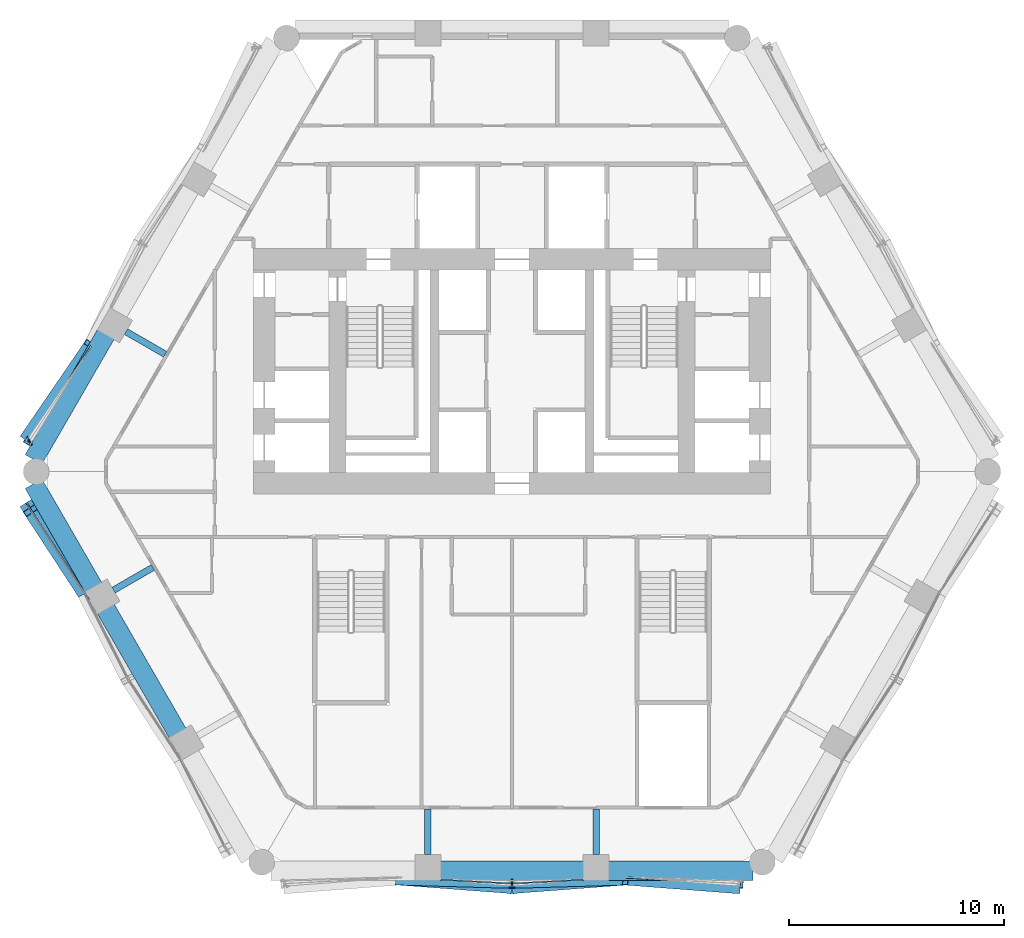
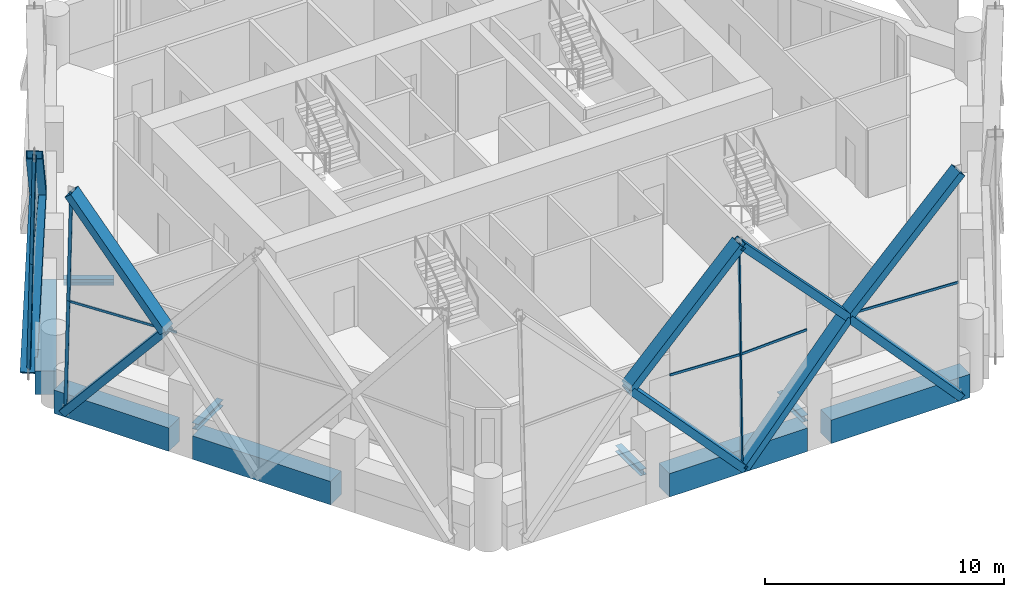
# One storey, part 4 of 21: 21 members, 9 beams, 6 elements without a shape of their own.
"""IFC4 building model written with IfcOpenShell, lengths in metres."""

from ifc_helpers import new_model, si_unit, direction, frame, origin, origin_2d, place, context, subcontext, project, spatial, rectangle, hollow_rectangle, i_section, extrude, material, material_profile, profile_set, type_object, element, aggregate, save


model = new_model("IFC4")

# Units and contexts
model_context = context("Model", 3, precision=1e-05, world=origin(), true_north=direction((0.0, 1.0)))
body_context = subcontext(model_context, "Body", "Model", "MODEL_VIEW")
ifc_project = project(units=[si_unit("LENGTHUNIT", "METRE"), si_unit("AREAUNIT", "SQUARE_METRE"), si_unit("VOLUMEUNIT", "CUBIC_METRE"), si_unit("PLANEANGLEUNIT", "RADIAN"), si_unit("MASSUNIT", "GRAM", prefix="KILO")], contexts=[model_context])

# Site, building, storey
site_placement = place(None, origin())
site = spatial("IfcSite", under=ifc_project, at=site_placement, CompositionType="ELEMENT")
building_placement = place(site_placement, origin())
building = spatial("IfcBuilding", under=site, at=building_placement, Name="Ostrander Bayou Hotel Tower", CompositionType="ELEMENT")
storey_placement = place(building_placement, frame((0.0, 0.0, 116.0)))
storey = spatial("IfcBuildingStorey", under=building, at=storey_placement, Name="L28", CompositionType="ELEMENT", Elevation=116.0)

# Curtain wall, members
ifc_material_1 = material(Name="Aluminium and clear glass", Category="aluminium")
curtain_wall_type = type_object("IfcCurtainWallType", Name="CW-LAT lattice glazing", PredefinedType="NOTDEFINED", material=ifc_material_1)
curtain_wall_1_placement = place(storey_placement, origin())
curtain_wall_1 = element("IfcCurtainWall", 1, at=curtain_wall_1_placement, inside=storey, type_object=curtain_wall_type, Name="CW-LAT L28 NW 1", PredefinedType="NOTDEFINED")
ifc_material_2 = material(Name="Aluminium", Category="aluminium")
ifc_material_profile_1 = material_profile(ifc_material_2, hollow_rectangle(XDim=0.06005859375, YDim=0.159912109375, WallThickness=0.00390625, at=origin_2d()))
ifc_profile_set_1 = profile_set([ifc_material_profile_1], Name="Aluminium")
member_type_1 = type_object("IfcMemberType", Name="CW-LA mullion 60 x 160 mm", PredefinedType="MULLION", material=ifc_profile_set_1)
member_1_placement = place(storey_placement, frame((-22.47216796875, 0.885986328125, -0.60009765625), z_axis=(0.012582810856, -0.021824668484, 0.999682627996), x_axis=(0.866328918095, 0.499473928922, 0.0)))
member_1 = element("IfcMember", 2, at=member_1_placement, type_object=member_type_1, Name="CW-LAT mullion 8", PredefinedType="MULLION", context=body_context, shape_type="SweptSolid", body=[
    extrude(hollow_rectangle(XDim=0.06005859375, YDim=0.159912109375, WallThickness=0.00390625, at=origin_2d()), origin(), (0.0, 0.0, 1.0), 5.626708984375),
])
member_2_placement = place(storey_placement, frame((-22.4013671875, 0.76318359375, 5.02490234375), z_axis=(0.012582810856, -0.021824668484, 0.999682627996), x_axis=(0.866328918095, 0.499473928922, 0.0)))
member_2 = element("IfcMember", 3, at=member_2_placement, type_object=member_type_1, Name="CW-LAT mullion 9", PredefinedType="MULLION", context=body_context, shape_type="SweptSolid", body=[
    extrude(hollow_rectangle(XDim=0.06005859375, YDim=0.159912109375, WallThickness=0.00390625, at=origin_2d()), origin(), (0.0, 0.0, 1.0), 5.626708984375),
])
aggregate(curtain_wall_1, [member_1, member_2])

curtain_wall_2_placement = place(storey_placement, origin())
curtain_wall_2 = element("IfcCurtainWall", 4, at=curtain_wall_2_placement, inside=storey, type_object=curtain_wall_type, Name="CW-LAT L28 SW 1", PredefinedType="NOTDEFINED")
member_3_placement = place(storey_placement, frame((-22.47216796875, -2.217041015625, -0.60009765625), z_axis=(0.012582810856, -0.021824668484, 0.999682627996), x_axis=(0.866328918095, 0.499473928922, 0.0)))
member_3 = element("IfcMember", 5, at=member_3_placement, type_object=member_type_1, Name="CW-LAT mullion 1", PredefinedType="MULLION", context=body_context, shape_type="SweptSolid", body=[
    extrude(hollow_rectangle(XDim=0.06005859375, YDim=0.159912109375, WallThickness=0.00390625, at=origin_2d()), origin(), (0.0, 0.0, 1.0), 5.626708984375),
])
member_4_placement = place(storey_placement, frame((-22.4013671875, -2.33984375, 5.02490234375), z_axis=(0.012582822759, -0.021781300087, 0.999683573706), x_axis=(0.865898279276, 0.500220121494, 0.0)))
member_4 = element("IfcMember", 6, at=member_4_placement, type_object=member_type_1, Name="CW-LAT mullion 2", PredefinedType="MULLION", context=body_context, shape_type="SweptSolid", body=[
    extrude(hollow_rectangle(XDim=0.06005859375, YDim=0.159912109375, WallThickness=0.00390625, at=origin_2d()), origin(), (0.0, 0.0, 1.0), 5.626708984375),
])
aggregate(curtain_wall_2, [member_3, member_4])

curtain_wall_3_placement = place(storey_placement, origin())
curtain_wall_3 = element("IfcCurtainWall", 7, at=curtain_wall_3_placement, inside=storey, type_object=curtain_wall_type, Name="CW-LAT L28 S 1", PredefinedType="NOTDEFINED")
member_5_placement = place(storey_placement, frame((0.0, -19.904541015625, -0.60009765625), z_axis=(0.0, 0.021826396408, 0.999761775835), x_axis=(-1.0, 0.0, 0.0)))
member_5 = element("IfcMember", 8, at=member_5_placement, type_object=member_type_1, Name="CW-LAT mullion 4", PredefinedType="MULLION", context=body_context, shape_type="SweptSolid", body=[
    extrude(hollow_rectangle(XDim=0.06005859375, YDim=0.159912109375, WallThickness=0.00390625, at=origin_2d()), origin(), (0.0, 0.0, 1.0), 5.626220703125),
])
member_6_placement = place(storey_placement, frame((0.0, -19.78173828125, 5.02490234375), z_axis=(0.0, 0.021826396408, 0.999761775835), x_axis=(-1.0, 0.0, 0.0)))
member_6 = element("IfcMember", 9, at=member_6_placement, type_object=member_type_1, Name="CW-LAT mullion 5", PredefinedType="MULLION", context=body_context, shape_type="SweptSolid", body=[
    extrude(hollow_rectangle(XDim=0.06005859375, YDim=0.159912109375, WallThickness=0.00390625, at=origin_2d()), origin(), (0.0, 0.0, 1.0), 5.626220703125),
])
aggregate(curtain_wall_3, [member_5, member_6])

# Curtain wall, member
curtain_wall_4_placement = place(storey_placement, origin())
curtain_wall_4 = element("IfcCurtainWall", 10, at=curtain_wall_4_placement, inside=storey, type_object=curtain_wall_type, Name="CW-LAT L28 NW 2", PredefinedType="NOTDEFINED")
ifc_material_3 = material(Name="Aluminium", Category="aluminium")
ifc_material_profile_2 = material_profile(ifc_material_3, hollow_rectangle(XDim=0.06005859375, YDim=0.1201171875, WallThickness=0.00390625, at=origin_2d()))
ifc_profile_set_2 = profile_set([ifc_material_profile_2], Name="Aluminium")
member_type_2 = type_object("IfcMemberType", Name="CW-LA transom 60 x 120 mm", PredefinedType="USERDEFINED", material=ifc_profile_set_2)
member_7_placement = place(storey_placement, frame((-22.4013671875, 0.76318359375, 5.02490234375), z_axis=(0.544344231628, 0.838861941856, 0.0), x_axis=(-0.838861941856, 0.544344231628, 0.0)))
member_7 = element("IfcMember", 11, at=member_7_placement, type_object=member_type_2, Name="CW-LAT transom 10", ObjectType="TRANSOM", PredefinedType="USERDEFINED", context=body_context, shape_type="SweptSolid", body=[
    extrude(hollow_rectangle(XDim=0.06005859375, YDim=0.1201171875, WallThickness=0.00390625, at=origin_2d()), origin(), (0.0, 0.0, 1.0), 5.277099609375),
])
aggregate(curtain_wall_4, [member_7])

curtain_wall_5_placement = place(storey_placement, origin())
curtain_wall_5 = element("IfcCurtainWall", 12, at=curtain_wall_5_placement, inside=storey, type_object=curtain_wall_type, Name="CW-LAT L28 SW 2", PredefinedType="NOTDEFINED")
member_8_placement = place(storey_placement, frame((-22.4013671875, -2.33984375, 5.02490234375), z_axis=(0.545314384373, -0.83823160415, 0.0), x_axis=(0.83823160415, 0.545314384373, 0.0)))
member_8 = element("IfcMember", 13, at=member_8_placement, type_object=member_type_2, Name="CW-LAT transom 3", ObjectType="TRANSOM", PredefinedType="USERDEFINED", context=body_context, shape_type="SweptSolid", body=[
    extrude(hollow_rectangle(XDim=0.06005859375, YDim=0.1201171875, WallThickness=0.00390625, at=origin_2d()), origin(), (0.0, 0.0, 1.0), 5.079345703125),
])
aggregate(curtain_wall_5, [member_8])

# Curtain wall, members
curtain_wall_6_placement = place(storey_placement, origin())
curtain_wall_6 = element("IfcCurtainWall", 14, at=curtain_wall_6_placement, inside=storey, type_object=curtain_wall_type, Name="CW-LAT L28 S 2", PredefinedType="NOTDEFINED")
member_9_placement = place(storey_placement, frame((0.0, -19.78173828125, 5.02490234375), z_axis=(-0.998648011768, 0.051982194942, 0.0), x_axis=(-0.051982194942, -0.998648011768, 0.0)))
member_9 = element("IfcMember", 15, at=member_9_placement, type_object=member_type_2, Name="CW-LAT transom 6", ObjectType="TRANSOM", PredefinedType="USERDEFINED", context=body_context, shape_type="SweptSolid", body=[
    extrude(hollow_rectangle(XDim=0.06005859375, YDim=0.1201171875, WallThickness=0.00390625, at=origin_2d()), origin(), (0.0, 0.0, 1.0), 3.31103515625),
])
member_10_placement = place(storey_placement, frame((0.0, -19.78173828125, 5.02490234375), z_axis=(0.998648011768, 0.051982194942, 0.0), x_axis=(-0.051982194942, 0.998648011768, 0.0)))
member_10 = element("IfcMember", 16, at=member_10_placement, type_object=member_type_2, Name="CW-LAT transom 7", ObjectType="TRANSOM", PredefinedType="USERDEFINED", context=body_context, shape_type="SweptSolid", body=[
    extrude(hollow_rectangle(XDim=0.06005859375, YDim=0.1201171875, WallThickness=0.00390625, at=origin_2d()), origin(), (0.0, 0.0, 1.0), 3.31103515625),
])
member_11_placement = place(storey_placement, frame((10.539794921875, -19.78173828125, 5.02490234375), z_axis=(-0.998647067192, 0.052000338345, 0.0), x_axis=(-0.052000338345, -0.998647067192, 0.0)))
member_11 = element("IfcMember", 17, at=member_11_placement, type_object=member_type_2, Name="CW-LAT transom 10", ObjectType="TRANSOM", PredefinedType="USERDEFINED", context=body_context, shape_type="SweptSolid", body=[
    extrude(hollow_rectangle(XDim=0.06005859375, YDim=0.1201171875, WallThickness=0.00390625, at=origin_2d()), origin(), (0.0, 0.0, 1.0), 5.277099609375),
])
aggregate(curtain_wall_6, [member_9, member_10, member_11])

# Beams
ifc_material_4 = material(Name="Steel ASTM A992", Category="steel")
ifc_material_profile_3 = material_profile(ifc_material_4, i_section(OverallWidth=0.3046875, OverallDepth=0.307861328125, WebThickness=0.010009765625, FlangeThickness=0.015380859375, at=origin_2d()))
ifc_profile_set_3 = profile_set([ifc_material_profile_3], Name="Steel ASTM A992")
beam_type_1 = type_object("IfcBeamType", Name="LB1 loggia bracket W12x65", PredefinedType="BEAM", material=ifc_profile_set_3)
for number, where, z_axis, x_axis, name in (
    (18, (-17.918212890625, 5.833984375, -0.453857421875), (0.866038466041, -0.499977374825, 0.0), (0.499977374825, 0.866038466041, 0.0), "LB1 L28 NW2"),
    (19, (-18.494384765625, -6.166748046875, -0.453857421875), (0.866009402589, 0.500027713859, 0.0), (-0.500027713859, 0.866009402589, 0.0), "LB1 L28 SW1"),
    (20, (-3.90673828125, -18.4345703125, -0.453857421875), (0.0, 1.0, 0.0), (-1.0, 0.0, 0.0), "LB1 L28 S1"),
    (21, (3.90673828125, -18.4345703125, -0.453857421875), (0.0, 1.0, 0.0), (-1.0, 0.0, 0.0), "LB1 L28 S2"),
):
    element("IfcBeam", number, at=place(storey_placement, frame(where, z_axis=z_axis, x_axis=x_axis)), inside=storey, type_object=beam_type_1, Name=name, PredefinedType="BEAM", context=body_context, shape_type="SweptSolid", body=[
        extrude(i_section(OverallWidth=0.3046875, OverallDepth=0.307861328125, WebThickness=0.010009765625, FlangeThickness=0.015380859375, at=origin_2d()), origin(), (0.0, 0.0, 1.0), 2.10009765625),
    ])

# Members
ifc_material_5 = material(Name="Steel ASTM A572 Gr 50", Category="steel")
ifc_material_profile_4 = material_profile(ifc_material_5, hollow_rectangle(XDim=0.699951171875, YDim=0.35009765625, WallThickness=0.02490234375, at=origin_2d()))
ifc_profile_set_4 = profile_set([ifc_material_profile_4], Name="Steel ASTM A572 Gr 50")
member_type_3 = type_object("IfcMemberType", Name="LT1 lattice member box 700 x 350 x 25 mm", PredefinedType="BRACE", material=ifc_profile_set_4)
member_12_placement = place(storey_placement, frame((-19.52880859375, 5.18994140625, 5.02490234375), z_axis=(-0.383752466944, -0.561145673504, -0.733382285866), x_axis=(0.825437017786, -0.564494224654, 0.0)))
element("IfcMember", 22, at=member_12_placement, inside=storey, type_object=member_type_3, Name="LT1 L28 NW 7", PredefinedType="BRACE", context=body_context, shape_type="SweptSolid", body=[
    extrude(hollow_rectangle(XDim=0.699951171875, YDim=0.35009765625, WallThickness=0.02490234375, at=origin_2d()), origin(), (0.0, 0.0, 1.0), 7.669921875),
])
member_13_placement = place(storey_placement, frame((-19.52880859375, 5.18994140625, 5.02490234375), z_axis=(-0.361137115625, -0.586422982718, 0.725043494597), x_axis=(0.851488835538, -0.524372732848, 0.0)))
element("IfcMember", 23, at=member_13_placement, inside=storey, type_object=member_type_3, Name="LT1 L28 NW 8", PredefinedType="BRACE", context=body_context, shape_type="SweptSolid", body=[
    extrude(hollow_rectangle(XDim=0.699951171875, YDim=0.35009765625, WallThickness=0.02490234375, at=origin_2d()), origin(), (0.0, 0.0, 1.0), 7.758056640625),
])
member_14_placement = place(storey_placement, frame((-19.896240234375, -6.190185546875, 5.02490234375), z_axis=(-0.350338606258, 0.540366835205, -0.765027152705), x_axis=(-0.83908151051, -0.544005715705, 0.0)))
element("IfcMember", 24, at=member_14_placement, inside=storey, type_object=member_type_3, Name="LT1 L28 SW 1", PredefinedType="BRACE", context=body_context, shape_type="SweptSolid", body=[
    extrude(hollow_rectangle(XDim=0.699951171875, YDim=0.35009765625, WallThickness=0.02490234375, at=origin_2d()), origin(), (0.0, 0.0, 1.0), 7.352783203125),
])
member_15_placement = place(storey_placement, frame((-19.896240234375, -6.190185546875, 5.02490234375), z_axis=(-0.339337211246, 0.519640946596, 0.784106844559), x_axis=(-0.837285361909, -0.546766149951, 0.0)))
element("IfcMember", 25, at=member_15_placement, inside=storey, type_object=member_type_3, Name="LT1 L28 SW 2", PredefinedType="BRACE", context=body_context, shape_type="SweptSolid", body=[
    extrude(hollow_rectangle(XDim=0.699951171875, YDim=0.35009765625, WallThickness=0.02490234375, at=origin_2d()), origin(), (0.0, 0.0, 1.0), 7.173828125),
])
member_16_placement = place(storey_placement, frame((-5.269775390625, -19.50732421875, 5.02490234375), z_axis=(0.682782172549, -0.051465674994, -0.728807100094), x_axis=(0.075163197459, 0.997171245949, 0.0)))
element("IfcMember", 26, at=member_16_placement, inside=storey, type_object=member_type_3, Name="LT1 L28 S 3", PredefinedType="BRACE", context=body_context, shape_type="SweptSolid", body=[
    extrude(hollow_rectangle(XDim=0.699951171875, YDim=0.35009765625, WallThickness=0.02490234375, at=origin_2d()), origin(), (0.0, 0.0, 1.0), 7.718017578125),
])
member_17_placement = place(storey_placement, frame((-5.269775390625, -19.50732421875, 5.02490234375), z_axis=(0.683556000702, -0.01966589189, 0.729633090395), x_axis=(0.028758079914, 0.999586400888, 0.0)))
element("IfcMember", 27, at=member_17_placement, inside=storey, type_object=member_type_3, Name="LT1 L28 S 4", PredefinedType="BRACE", context=body_context, shape_type="SweptSolid", body=[
    extrude(hollow_rectangle(XDim=0.699951171875, YDim=0.35009765625, WallThickness=0.02490234375, at=origin_2d()), origin(), (0.0, 0.0, 1.0), 7.70947265625),
])
member_18_placement = place(storey_placement, frame((5.269775390625, -19.50732421875, 5.02490234375), z_axis=(-0.682782172549, -0.051465674994, -0.728807100094), x_axis=(0.075163197459, -0.997171245949, 0.0)))
element("IfcMember", 28, at=member_18_placement, inside=storey, type_object=member_type_3, Name="LT1 L28 S 5", PredefinedType="BRACE", context=body_context, shape_type="SweptSolid", body=[
    extrude(hollow_rectangle(XDim=0.699951171875, YDim=0.35009765625, WallThickness=0.02490234375, at=origin_2d()), origin(), (0.0, 0.0, 1.0), 7.718017578125),
])
member_19_placement = place(storey_placement, frame((5.269775390625, -19.50732421875, 5.02490234375), z_axis=(-0.683556000702, -0.01966589189, 0.729633090395), x_axis=(0.028758079914, -0.999586400888, 0.0)))
element("IfcMember", 29, at=member_19_placement, inside=storey, type_object=member_type_3, Name="LT1 L28 S 6", PredefinedType="BRACE", context=body_context, shape_type="SweptSolid", body=[
    extrude(hollow_rectangle(XDim=0.699951171875, YDim=0.35009765625, WallThickness=0.02490234375, at=origin_2d()), origin(), (0.0, 0.0, 1.0), 7.70947265625),
])
member_20_placement = place(storey_placement, frame((5.269775390625, -19.50732421875, 5.02490234375), z_axis=(0.677839077855, -0.051788879064, -0.733384003465), x_axis=(0.076180885687, 0.997094013951, 0.0)))
element("IfcMember", 30, at=member_20_placement, inside=storey, type_object=member_type_3, Name="LT1 L28 S 7", PredefinedType="BRACE", context=body_context, shape_type="SweptSolid", body=[
    extrude(hollow_rectangle(XDim=0.699951171875, YDim=0.35009765625, WallThickness=0.02490234375, at=origin_2d()), origin(), (0.0, 0.0, 1.0), 7.669921875),
])
member_21_placement = place(storey_placement, frame((5.269775390625, -19.50732421875, 5.02490234375), z_axis=(0.6884194142, -0.019542350348, 0.725049520167), x_axis=(0.028375842871, 0.999597324697, 0.0)))
element("IfcMember", 31, at=member_21_placement, inside=storey, type_object=member_type_3, Name="LT1 L28 S 8", PredefinedType="BRACE", context=body_context, shape_type="SweptSolid", body=[
    extrude(hollow_rectangle(XDim=0.699951171875, YDim=0.35009765625, WallThickness=0.02490234375, at=origin_2d()), origin(), (0.0, 0.0, 1.0), 7.758056640625),
])

# Beams
ifc_material_6 = material(Name="Concrete f'c 70 MPa", Category="concrete")
ifc_material_profile_5 = material_profile(ifc_material_6, rectangle(XDim=0.89990234375, YDim=1.199951171875, at=origin_2d()))
ifc_profile_set_5 = profile_set([ifc_material_profile_5], Name="Concrete f'c 70 MPa")
beam_type_2 = type_object("IfcBeamType", Name="SP2 spandrel beam 900 x 1200 mm f'c 70 MPa", PredefinedType="SPANDREL", material=ifc_profile_set_5)
beam_1_placement = place(storey_placement, frame((-18.8525390625, 5.71533203125, -0.60009765625), z_axis=(-0.500012951941, -0.866017925849, 0.0), x_axis=(0.866017925849, -0.500012951941, 0.0)))
element("IfcBeam", 32, at=beam_1_placement, inside=storey, type_object=beam_type_2, Name="SP2 L28 NW-3", PredefinedType="SPANDREL", context=body_context, shape_type="SweptSolid", body=[
    extrude(rectangle(XDim=0.89990234375, YDim=1.199951171875, at=origin_2d()), origin(), (0.0, 0.0, 1.0), 6.717041015625),
])
beam_2_placement = place(storey_placement, frame((-22.211181640625, -1.22900390625, -0.60009765625), z_axis=(0.49998957009, -0.866031425412, 0.0), x_axis=(0.866031425412, 0.49998957009, 0.0)))
element("IfcBeam", 33, at=beam_2_placement, inside=storey, type_object=beam_type_2, Name="SP2 L28 SW-1", PredefinedType="SPANDREL", context=body_context, shape_type="SweptSolid", body=[
    extrude(rectangle(XDim=0.89990234375, YDim=1.199951171875, at=origin_2d()), origin(), (0.0, 0.0, 1.0), 5.564453125),
])
for number, where, z_axis, x_axis, name in (
    (34, (-18.85888671875, -7.035400390625, -0.60009765625), (0.499999023957, -0.866025967302, 0.0), (0.866025967302, 0.499999023957, 0.0), "SP2 L28 SW-2"),
    (35, (-3.336669921875, -19.1845703125, -0.60009765625), (1.0, 0.0, 0.0), (0.0, 1.0, 0.0), "SP2 L28 S-2"),
):
    element("IfcBeam", number, at=place(storey_placement, frame(where, z_axis=z_axis, x_axis=x_axis)), inside=storey, type_object=beam_type_2, Name=name, PredefinedType="SPANDREL", context=body_context, shape_type="SweptSolid", body=[
        extrude(rectangle(XDim=0.89990234375, YDim=1.199951171875, at=origin_2d()), origin(), (0.0, 0.0, 1.0), 6.67333984375),
    ])
beam_3_placement = place(storey_placement, frame((4.476806640625, -19.1845703125, -0.60009765625), z_axis=(1.0, 0.0, 0.0), x_axis=(0.0, 1.0, 0.0)))
element("IfcBeam", 36, at=beam_3_placement, inside=storey, type_object=beam_type_2, Name="SP2 L28 S-3", PredefinedType="SPANDREL", context=body_context, shape_type="SweptSolid", body=[
    extrude(rectangle(XDim=0.89990234375, YDim=1.199951171875, at=origin_2d()), origin(), (0.0, 0.0, 1.0), 6.717041015625),
])

save(model, "model.ifc")
